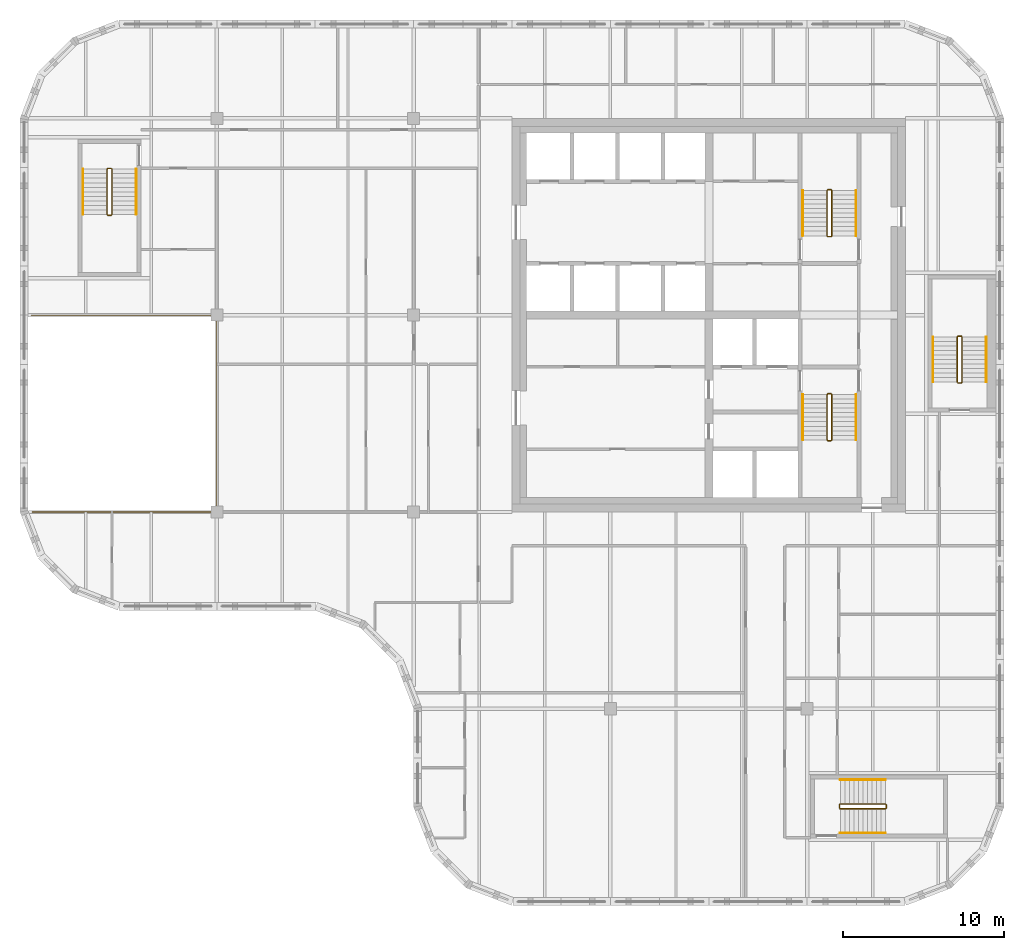
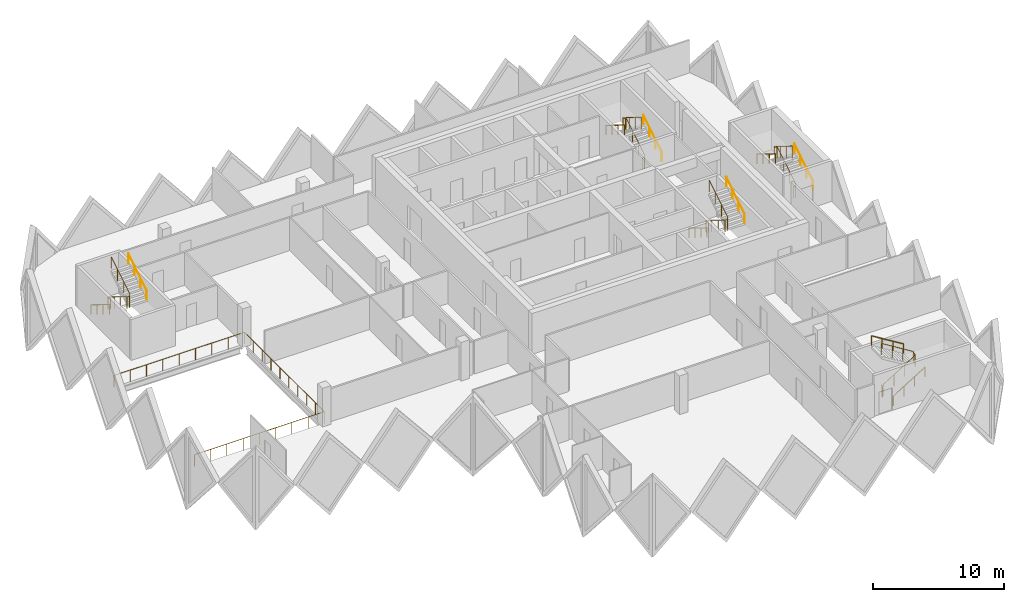
# One storey, part 11 of 11: 16 railings.
"""IFC4 building model written with IfcOpenShell, lengths in metres."""

from ifc_helpers import new_model, si_unit, direction, frame, origin, origin_2d, place, context, subcontext, project, spatial, circle, extrude, material, type_object, element, save


model = new_model("IFC4")

# Units and contexts
model_context = context("Model", 3, precision=1e-05, world=origin(), true_north=direction((0.0, 1.0)))
body_context = subcontext(model_context, "Body", "Model", "MODEL_VIEW")
ifc_project = project(units=[si_unit("LENGTHUNIT", "METRE"), si_unit("AREAUNIT", "SQUARE_METRE"), si_unit("VOLUMEUNIT", "CUBIC_METRE"), si_unit("PLANEANGLEUNIT", "RADIAN"), si_unit("MASSUNIT", "GRAM", prefix="KILO")], contexts=[model_context])

# Site, building, storey
site_placement = place(None, origin())
site = spatial("IfcSite", under=ifc_project, at=site_placement, CompositionType="ELEMENT")
building_placement = place(site_placement, origin())
building = spatial("IfcBuilding", under=site, at=building_placement, Name="Tessera Gate Towers", CompositionType="ELEMENT")
storey_placement = place(building_placement, frame((0.0, 0.0, 201.699951171875)))
storey = spatial("IfcBuildingStorey", under=building, at=storey_placement, Name="L50", CompositionType="ELEMENT", Elevation=201.699951171875)

# Railings
ifc_material_1 = material(Name="Toughened glass with stainless steel handrail", Category="steel")
railing_type_1 = type_object("IfcRailingType", Name="GUARD 1100 GLASS BALUSTRADE", PredefinedType="GUARDRAIL", material=ifc_material_1)
railing_1_placement = place(storey_placement, frame((0.750244140625, 24.39990234375, 0.0)))
element("IfcRailing", 1, at=railing_1_placement, inside=storey, type_object=railing_type_1, Name="Guard", PredefinedType="GUARDRAIL", context=body_context, shape_type="SweptSolid", body=[
    extrude(circle(Radius=0.02490234375, at=origin_2d()), frame((0.0, 0.0, 1.0751953125), z_axis=(1.0, 0.0, 0.0), x_axis=(0.0, 1.0, 0.0)), (0.0, 0.0, 1.0), 11.44970703125),
    extrude(circle(Radius=0.02490234375, at=origin_2d()), frame((11.44970703125, 0.0, 1.0751953125), z_axis=(0.0, 1.0, 0.0), x_axis=(-1.0, 0.0, 0.0)), (0.0, 0.0, 1.0), 12.2001953125),
    extrude(circle(Radius=0.02490234375, at=origin_2d()), frame((11.44970703125, 12.2001953125, 1.0751953125), z_axis=(-1.0, 0.0, 0.0), x_axis=(0.0, -1.0, 0.0)), (0.0, 0.0, 1.0), 11.5),
    extrude(circle(Radius=0.02490234375, at=origin_2d()), origin(), (0.0, 0.0, 1.0), 1.050048828125),
    extrude(circle(Radius=0.02490234375, at=origin_2d()), frame((1.43115234375, 0.0, 0.0)), (0.0, 0.0, 1.0), 1.050048828125),
    extrude(circle(Radius=0.02490234375, at=origin_2d()), frame((2.8623046875, 0.0, 0.0)), (0.0, 0.0, 1.0), 1.050048828125),
    extrude(circle(Radius=0.02490234375, at=origin_2d()), frame((4.293701171875, 0.0, 0.0)), (0.0, 0.0, 1.0), 1.050048828125),
    extrude(circle(Radius=0.02490234375, at=origin_2d()), frame((5.724853515625, 0.0, 0.0)), (0.0, 0.0, 1.0), 1.050048828125),
    extrude(circle(Radius=0.02490234375, at=origin_2d()), frame((7.156005859375, 0.0, 0.0)), (0.0, 0.0, 1.0), 1.050048828125),
    extrude(circle(Radius=0.02490234375, at=origin_2d()), frame((8.58740234375, 0.0, 0.0)), (0.0, 0.0, 1.0), 1.050048828125),
    extrude(circle(Radius=0.02490234375, at=origin_2d()), frame((10.0185546875, 0.0, 0.0)), (0.0, 0.0, 1.0), 1.050048828125),
    extrude(circle(Radius=0.02490234375, at=origin_2d()), frame((11.44970703125, 0.0, 0.0)), (0.0, 0.0, 1.0), 1.050048828125),
    extrude(circle(Radius=0.02490234375, at=origin_2d()), frame((11.44970703125, 1.35546875, 0.0)), (0.0, 0.0, 1.0), 1.050048828125),
    extrude(circle(Radius=0.02490234375, at=origin_2d()), frame((11.44970703125, 2.711181640625, 0.0)), (0.0, 0.0, 1.0), 1.050048828125),
    extrude(circle(Radius=0.02490234375, at=origin_2d()), frame((11.44970703125, 4.066650390625, 0.0)), (0.0, 0.0, 1.0), 1.050048828125),
    extrude(circle(Radius=0.02490234375, at=origin_2d()), frame((11.44970703125, 5.42236328125, 0.0)), (0.0, 0.0, 1.0), 1.050048828125),
    extrude(circle(Radius=0.02490234375, at=origin_2d()), frame((11.44970703125, 6.77783203125, 0.0)), (0.0, 0.0, 1.0), 1.050048828125),
    extrude(circle(Radius=0.02490234375, at=origin_2d()), frame((11.44970703125, 8.133544921875, 0.0)), (0.0, 0.0, 1.0), 1.050048828125),
    extrude(circle(Radius=0.02490234375, at=origin_2d()), frame((11.44970703125, 9.489013671875, 0.0)), (0.0, 0.0, 1.0), 1.050048828125),
    extrude(circle(Radius=0.02490234375, at=origin_2d()), frame((11.44970703125, 10.8447265625, 0.0)), (0.0, 0.0, 1.0), 1.050048828125),
    extrude(circle(Radius=0.02490234375, at=origin_2d()), frame((11.44970703125, 12.2001953125, 0.0)), (0.0, 0.0, 1.0), 1.050048828125),
    extrude(circle(Radius=0.02490234375, at=origin_2d()), frame((10.01220703125, 12.2001953125, 0.0)), (0.0, 0.0, 1.0), 1.050048828125),
    extrude(circle(Radius=0.02490234375, at=origin_2d()), frame((8.57470703125, 12.2001953125, 0.0)), (0.0, 0.0, 1.0), 1.050048828125),
    extrude(circle(Radius=0.02490234375, at=origin_2d()), frame((7.13720703125, 12.2001953125, 0.0)), (0.0, 0.0, 1.0), 1.050048828125),
    extrude(circle(Radius=0.02490234375, at=origin_2d()), frame((5.69970703125, 12.2001953125, 0.0)), (0.0, 0.0, 1.0), 1.050048828125),
    extrude(circle(Radius=0.02490234375, at=origin_2d()), frame((4.26220703125, 12.2001953125, 0.0)), (0.0, 0.0, 1.0), 1.050048828125),
    extrude(circle(Radius=0.02490234375, at=origin_2d()), frame((2.82470703125, 12.2001953125, 0.0)), (0.0, 0.0, 1.0), 1.050048828125),
    extrude(circle(Radius=0.02490234375, at=origin_2d()), frame((1.38720703125, 12.2001953125, 0.0)), (0.0, 0.0, 1.0), 1.050048828125),
    extrude(circle(Radius=0.02490234375, at=origin_2d()), frame((-0.05029296875, 12.2001953125, 0.0)), (0.0, 0.0, 1.0), 1.050048828125),
])
ifc_material_2 = material(Name="Steel 350W", Category="steel")
railing_type_2 = type_object("IfcRailingType", Name="STAIR GUARD 1100", PredefinedType="GUARDRAIL", material=ifc_material_2)
railing_2_placement = place(storey_placement, frame((50.27490234375, 31.72509765625, 0.0)))
element("IfcRailing", 2, at=railing_2_placement, inside=storey, type_object=railing_type_2, Name="L50 ST1 stair guard 1", PredefinedType="GUARDRAIL", context=body_context, shape_type="SweptSolid", body=[
    extrude(circle(Radius=0.02392578125, at=origin_2d()), frame((0.0, 0.0, 1.076171875), z_axis=(-1.0, 0.0, 0.0), x_axis=(0.0, -1.0, 0.0)), (0.0, 0.0, 1.0), 0.199951171875),
    extrude(circle(Radius=0.02392578125, at=origin_2d()), frame((-0.199951171875, 0.0, 1.076171875), z_axis=(-0.267953482034, -0.267953482034, 0.925419830635), x_axis=(0.707106781187, -0.707106781187, 0.0)), (0.0, 0.0, 1.0), 0.186767578125),
    extrude(circle(Radius=0.02392578125, at=origin_2d()), frame((-0.25, -0.050048828125, 1.2490234375), z_axis=(0.0, -0.851089632645, 0.525020415988), x_axis=(1.0, 0.0, 0.0)), (0.0, 0.0, 1.0), 3.2900390625),
    extrude(circle(Radius=0.02392578125, at=origin_2d()), frame((-0.25, -2.85009765625, 2.97607421875), z_axis=(0.707106781187, -0.707106781187, 0.0), x_axis=(0.707106781187, 0.707106781187, 0.0)), (0.0, 0.0, 1.0), 0.07080078125),
    extrude(circle(Radius=0.02392578125, at=origin_2d()), frame((-0.199951171875, -2.900146484375, 2.97607421875), z_axis=(1.0, 0.0, 0.0), x_axis=(0.0, 1.0, 0.0)), (0.0, 0.0, 1.0), 0.199951171875),
    extrude(circle(Radius=0.02392578125, at=origin_2d()), frame((0.0, -2.900146484375, 2.97607421875), z_axis=(0.268277960024, 0.268277960024, 0.925231793839), x_axis=(-0.707106781187, 0.707106781187, 0.0)), (0.0, 0.0, 1.0), 0.1865234375),
    extrude(circle(Radius=0.02392578125, at=origin_2d()), frame((0.050048828125, -2.85009765625, 3.14892578125), z_axis=(0.0, 0.851089632645, 0.525020415988), x_axis=(-1.0, 0.0, 0.0)), (0.0, 0.0, 1.0), 3.2900390625),
    extrude(circle(Radius=0.02099609375, at=origin_2d()), origin(), (0.0, 0.0, 1.0), 1.052001953125),
    extrude(circle(Radius=0.02099609375, at=origin_2d()), frame((-0.199951171875, 0.0, 0.0)), (0.0, 0.0, 1.0), 1.052001953125),
    extrude(circle(Radius=0.02099609375, at=origin_2d()), frame((-0.25, -0.050048828125, 0.1728515625)), (0.0, 0.0, 1.0), 1.052001953125),
    extrude(circle(Radius=0.02099609375, at=origin_2d()), frame((-0.25, -0.9833984375, 0.74853515625)), (0.0, 0.0, 1.0), 1.052001953125),
    extrude(circle(Radius=0.02099609375, at=origin_2d()), frame((-0.25, -1.916748046875, 1.324462890625)), (0.0, 0.0, 1.0), 1.052001953125),
    extrude(circle(Radius=0.02099609375, at=origin_2d()), frame((-0.25, -2.85009765625, 1.900146484375)), (0.0, 0.0, 1.0), 1.052001953125),
    extrude(circle(Radius=0.02099609375, at=origin_2d()), frame((-0.199951171875, -2.900146484375, 1.900146484375)), (0.0, 0.0, 1.0), 1.052001953125),
    extrude(circle(Radius=0.02099609375, at=origin_2d()), frame((0.0, -2.900146484375, 1.900146484375)), (0.0, 0.0, 1.0), 1.052001953125),
    extrude(circle(Radius=0.02099609375, at=origin_2d()), frame((0.050048828125, -2.85009765625, 2.07275390625)), (0.0, 0.0, 1.0), 1.052001953125),
    extrude(circle(Radius=0.02099609375, at=origin_2d()), frame((0.050048828125, -1.916748046875, 2.6484375)), (0.0, 0.0, 1.0), 1.052001953125),
    extrude(circle(Radius=0.02099609375, at=origin_2d()), frame((0.050048828125, -0.9833984375, 3.224365234375)), (0.0, 0.0, 1.0), 1.052001953125),
    extrude(circle(Radius=0.02099609375, at=origin_2d()), frame((0.050048828125, -0.050048828125, 3.800048828125)), (0.0, 0.0, 1.0), 1.052001953125),
])
railing_3_placement = place(storey_placement, frame((50.074951171875, 41.47509765625, 0.0)))
element("IfcRailing", 3, at=railing_3_placement, inside=storey, type_object=railing_type_2, Name="L50 ST2 stair guard 1", PredefinedType="GUARDRAIL", context=body_context, shape_type="SweptSolid", body=[
    extrude(circle(Radius=0.02392578125, at=origin_2d()), frame((0.0, 0.0, 1.076171875), z_axis=(1.0, 0.0, 0.0), x_axis=(0.0, 1.0, 0.0)), (0.0, 0.0, 1.0), 0.199951171875),
    extrude(circle(Radius=0.02392578125, at=origin_2d()), frame((0.199951171875, 0.0, 1.076171875), z_axis=(0.268047150085, 0.266739603011, 0.925743328097), x_axis=(-0.705375805398, 0.708833529934, 0.0)), (0.0, 0.0, 1.0), 0.186767578125),
    extrude(circle(Radius=0.02392578125, at=origin_2d()), frame((0.25, 0.0498046875, 1.2490234375), z_axis=(0.0, 0.851089632645, 0.525020415988), x_axis=(-1.0, 0.0, 0.0)), (0.0, 0.0, 1.0), 3.2900390625),
    extrude(circle(Radius=0.02392578125, at=origin_2d()), frame((0.25, 2.849853515625, 2.97607421875), z_axis=(-0.707106781187, 0.707106781187, 0.0), x_axis=(-0.707106781187, -0.707106781187, 0.0)), (0.0, 0.0, 1.0), 0.07080078125),
    extrude(circle(Radius=0.02392578125, at=origin_2d()), frame((0.199951171875, 2.89990234375, 2.97607421875), z_axis=(-1.0, 0.0, 0.0), x_axis=(0.0, -1.0, 0.0)), (0.0, 0.0, 1.0), 0.199951171875),
    extrude(circle(Radius=0.02392578125, at=origin_2d()), frame((0.0, 2.89990234375, 2.97607421875), z_axis=(-0.268277960024, -0.268277960024, 0.925231793839), x_axis=(0.707106781187, -0.707106781187, 0.0)), (0.0, 0.0, 1.0), 0.1865234375),
    extrude(circle(Radius=0.02392578125, at=origin_2d()), frame((-0.050048828125, 2.849853515625, 3.14892578125), z_axis=(0.0, -0.851089632645, 0.525020415988), x_axis=(1.0, 0.0, 0.0)), (0.0, 0.0, 1.0), 3.2900390625),
    extrude(circle(Radius=0.02099609375, at=origin_2d()), origin(), (0.0, 0.0, 1.0), 1.052001953125),
    extrude(circle(Radius=0.02099609375, at=origin_2d()), frame((0.199951171875, 0.0, 0.0)), (0.0, 0.0, 1.0), 1.052001953125),
    extrude(circle(Radius=0.02099609375, at=origin_2d()), frame((0.25, 0.0498046875, 0.1728515625)), (0.0, 0.0, 1.0), 1.052001953125),
    extrude(circle(Radius=0.02099609375, at=origin_2d()), frame((0.25, 0.983154296875, 0.74853515625)), (0.0, 0.0, 1.0), 1.052001953125),
    extrude(circle(Radius=0.02099609375, at=origin_2d()), frame((0.25, 1.91650390625, 1.324462890625)), (0.0, 0.0, 1.0), 1.052001953125),
    extrude(circle(Radius=0.02099609375, at=origin_2d()), frame((0.25, 2.849853515625, 1.900146484375)), (0.0, 0.0, 1.0), 1.052001953125),
    extrude(circle(Radius=0.02099609375, at=origin_2d()), frame((0.199951171875, 2.89990234375, 1.900146484375)), (0.0, 0.0, 1.0), 1.052001953125),
    extrude(circle(Radius=0.02099609375, at=origin_2d()), frame((0.0, 2.89990234375, 1.900146484375)), (0.0, 0.0, 1.0), 1.052001953125),
    extrude(circle(Radius=0.02099609375, at=origin_2d()), frame((-0.050048828125, 2.849853515625, 2.07275390625)), (0.0, 0.0, 1.0), 1.052001953125),
    extrude(circle(Radius=0.02099609375, at=origin_2d()), frame((-0.050048828125, 1.91650390625, 2.6484375)), (0.0, 0.0, 1.0), 1.052001953125),
    extrude(circle(Radius=0.02099609375, at=origin_2d()), frame((-0.050048828125, 0.983154296875, 3.224365234375)), (0.0, 0.0, 1.0), 1.052001953125),
    extrude(circle(Radius=0.02099609375, at=origin_2d()), frame((-0.050048828125, 0.0498046875, 3.800048828125)), (0.0, 0.0, 1.0), 1.052001953125),
])
railing_4_placement = place(storey_placement, frame((5.64990234375, 45.699951171875, 0.0)))
element("IfcRailing", 4, at=railing_4_placement, inside=storey, type_object=railing_type_2, Name="L50 ST3 stair guard 1", PredefinedType="GUARDRAIL", context=body_context, shape_type="SweptSolid", body=[
    extrude(circle(Radius=0.02392578125, at=origin_2d()), frame((0.0, 0.0, 1.076171875), z_axis=(-1.0, 0.0, 0.0), x_axis=(0.0, -1.0, 0.0)), (0.0, 0.0, 1.0), 0.199951171875),
    extrude(circle(Radius=0.02392578125, at=origin_2d()), frame((-0.199951171875, 0.0, 1.076171875), z_axis=(-0.267953482034, -0.267953482034, 0.925419830635), x_axis=(0.707106781187, -0.707106781187, 0.0)), (0.0, 0.0, 1.0), 0.186767578125),
    extrude(circle(Radius=0.02392578125, at=origin_2d()), frame((-0.25, -0.050048828125, 1.2490234375), z_axis=(0.0, -0.851069175582, 0.525053576669), x_axis=(1.0, 0.0, 0.0)), (0.0, 0.0, 1.0), 3.289794921875),
    extrude(circle(Radius=0.02392578125, at=origin_2d()), frame((-0.25, -2.849853515625, 2.97607421875), z_axis=(0.707106781187, -0.707106781187, 0.0), x_axis=(0.707106781187, 0.707106781187, 0.0)), (0.0, 0.0, 1.0), 0.07080078125),
    extrude(circle(Radius=0.02392578125, at=origin_2d()), frame((-0.199951171875, -2.89990234375, 2.97607421875), z_axis=(1.0, 0.0, 0.0), x_axis=(0.0, 1.0, 0.0)), (0.0, 0.0, 1.0), 0.199951171875),
    extrude(circle(Radius=0.02392578125, at=origin_2d()), frame((0.0, -2.89990234375, 2.97607421875), z_axis=(0.268277960024, 0.268277960024, 0.925231793839), x_axis=(-0.707106781187, 0.707106781187, 0.0)), (0.0, 0.0, 1.0), 0.1865234375),
    extrude(circle(Radius=0.02392578125, at=origin_2d()), frame((0.050048828125, -2.849853515625, 3.14892578125), z_axis=(0.0, 0.851069175582, 0.525053576669), x_axis=(-1.0, 0.0, 0.0)), (0.0, 0.0, 1.0), 3.289794921875),
    extrude(circle(Radius=0.02099609375, at=origin_2d()), origin(), (0.0, 0.0, 1.0), 1.052001953125),
    extrude(circle(Radius=0.02099609375, at=origin_2d()), frame((-0.199951171875, 0.0, 0.0)), (0.0, 0.0, 1.0), 1.052001953125),
    extrude(circle(Radius=0.02099609375, at=origin_2d()), frame((-0.25, -0.050048828125, 0.1728515625)), (0.0, 0.0, 1.0), 1.052001953125),
    extrude(circle(Radius=0.02099609375, at=origin_2d()), frame((-0.25, -0.9833984375, 0.74853515625)), (0.0, 0.0, 1.0), 1.052001953125),
    extrude(circle(Radius=0.02099609375, at=origin_2d()), frame((-0.25, -1.91650390625, 1.324462890625)), (0.0, 0.0, 1.0), 1.052001953125),
    extrude(circle(Radius=0.02099609375, at=origin_2d()), frame((-0.25, -2.849853515625, 1.900146484375)), (0.0, 0.0, 1.0), 1.052001953125),
    extrude(circle(Radius=0.02099609375, at=origin_2d()), frame((-0.199951171875, -2.89990234375, 1.900146484375)), (0.0, 0.0, 1.0), 1.052001953125),
    extrude(circle(Radius=0.02099609375, at=origin_2d()), frame((0.0, -2.89990234375, 1.900146484375)), (0.0, 0.0, 1.0), 1.052001953125),
    extrude(circle(Radius=0.02099609375, at=origin_2d()), frame((0.050048828125, -2.849853515625, 2.07275390625)), (0.0, 0.0, 1.0), 1.052001953125),
    extrude(circle(Radius=0.02099609375, at=origin_2d()), frame((0.050048828125, -1.91650390625, 2.6484375)), (0.0, 0.0, 1.0), 1.052001953125),
    extrude(circle(Radius=0.02099609375, at=origin_2d()), frame((0.050048828125, -0.9833984375, 3.224365234375)), (0.0, 0.0, 1.0), 1.052001953125),
    extrude(circle(Radius=0.02099609375, at=origin_2d()), frame((0.050048828125, -0.050048828125, 3.800048828125)), (0.0, 0.0, 1.0), 1.052001953125),
])
railing_5_placement = place(storey_placement, frame((50.800048828125, 6.25, 0.0)))
element("IfcRailing", 5, at=railing_5_placement, inside=storey, type_object=railing_type_2, Name="L50 ST4 stair guard 1", PredefinedType="GUARDRAIL", context=body_context, shape_type="SweptSolid", body=[
    extrude(circle(Radius=0.02392578125, at=origin_2d()), frame((0.0, 0.0, 1.076171875), z_axis=(0.0, -1.0, 0.0), x_axis=(1.0, 0.0, 0.0)), (0.0, 0.0, 1.0), 0.199951171875),
    extrude(circle(Radius=0.02392578125, at=origin_2d()), frame((0.0, -0.199951171875, 1.076171875), z_axis=(0.267953482034, -0.267953482034, 0.925419830635), x_axis=(0.707106781187, 0.707106781187, 0.0)), (0.0, 0.0, 1.0), 0.186767578125),
    extrude(circle(Radius=0.02392578125, at=origin_2d()), frame((0.050048828125, -0.25, 1.2490234375), z_axis=(0.851069175582, 0.0, 0.525053576669), x_axis=(0.0, 1.0, 0.0)), (0.0, 0.0, 1.0), 3.289794921875),
    extrude(circle(Radius=0.02392578125, at=origin_2d()), frame((2.849853515625, -0.25, 2.97607421875), z_axis=(0.707106781187, 0.707106781187, 0.0), x_axis=(-0.707106781187, 0.707106781187, 0.0)), (0.0, 0.0, 1.0), 0.07080078125),
    extrude(circle(Radius=0.02392578125, at=origin_2d()), frame((2.89990234375, -0.199951171875, 2.97607421875), z_axis=(0.0, 1.0, 0.0), x_axis=(-1.0, 0.0, 0.0)), (0.0, 0.0, 1.0), 0.199951171875),
    extrude(circle(Radius=0.02392578125, at=origin_2d()), frame((2.89990234375, 0.0, 2.97607421875), z_axis=(-0.268277960024, 0.268277960024, 0.925231793839), x_axis=(-0.707106781187, -0.707106781187, 0.0)), (0.0, 0.0, 1.0), 0.1865234375),
    extrude(circle(Radius=0.02392578125, at=origin_2d()), frame((2.849853515625, 0.050048828125, 3.14892578125), z_axis=(-0.851069175582, 0.0, 0.525053576669), x_axis=(0.0, -1.0, 0.0)), (0.0, 0.0, 1.0), 3.289794921875),
    extrude(circle(Radius=0.02099609375, at=origin_2d()), origin(), (0.0, 0.0, 1.0), 1.052001953125),
    extrude(circle(Radius=0.02099609375, at=origin_2d()), frame((0.0, -0.199951171875, 0.0)), (0.0, 0.0, 1.0), 1.052001953125),
    extrude(circle(Radius=0.02099609375, at=origin_2d()), frame((0.050048828125, -0.25, 0.1728515625)), (0.0, 0.0, 1.0), 1.052001953125),
    extrude(circle(Radius=0.02099609375, at=origin_2d()), frame((0.9833984375, -0.25, 0.74853515625)), (0.0, 0.0, 1.0), 1.052001953125),
    extrude(circle(Radius=0.02099609375, at=origin_2d()), frame((1.91650390625, -0.25, 1.324462890625)), (0.0, 0.0, 1.0), 1.052001953125),
    extrude(circle(Radius=0.02099609375, at=origin_2d()), frame((2.849853515625, -0.25, 1.900146484375)), (0.0, 0.0, 1.0), 1.052001953125),
    extrude(circle(Radius=0.02099609375, at=origin_2d()), frame((2.89990234375, -0.199951171875, 1.900146484375)), (0.0, 0.0, 1.0), 1.052001953125),
    extrude(circle(Radius=0.02099609375, at=origin_2d()), frame((2.89990234375, 0.0, 1.900146484375)), (0.0, 0.0, 1.0), 1.052001953125),
    extrude(circle(Radius=0.02099609375, at=origin_2d()), frame((2.849853515625, 0.050048828125, 2.07275390625)), (0.0, 0.0, 1.0), 1.052001953125),
    extrude(circle(Radius=0.02099609375, at=origin_2d()), frame((1.91650390625, 0.050048828125, 2.6484375)), (0.0, 0.0, 1.0), 1.052001953125),
    extrude(circle(Radius=0.02099609375, at=origin_2d()), frame((0.9833984375, 0.050048828125, 3.224365234375)), (0.0, 0.0, 1.0), 1.052001953125),
    extrude(circle(Radius=0.02099609375, at=origin_2d()), frame((0.050048828125, 0.050048828125, 3.800048828125)), (0.0, 0.0, 1.0), 1.052001953125),
])
railing_6_placement = place(storey_placement, frame((58.14990234375, 32.39990234375, 0.0)))
element("IfcRailing", 6, at=railing_6_placement, inside=storey, type_object=railing_type_2, Name="L50 ST5 stair guard 1", PredefinedType="GUARDRAIL", context=body_context, shape_type="SweptSolid", body=[
    extrude(circle(Radius=0.02392578125, at=origin_2d()), frame((0.0, 0.0, 1.076171875), z_axis=(1.0, 0.0, 0.0), x_axis=(0.0, 1.0, 0.0)), (0.0, 0.0, 1.0), 0.2001953125),
    extrude(circle(Radius=0.02392578125, at=origin_2d()), frame((0.2001953125, 0.0, 1.076171875), z_axis=(0.266739603011, 0.268047150085, 0.925743328097), x_axis=(-0.708833529934, 0.705375805398, 0.0)), (0.0, 0.0, 1.0), 0.186767578125),
    extrude(circle(Radius=0.02392578125, at=origin_2d()), frame((0.25, 0.050048828125, 1.2490234375), z_axis=(0.0, 0.851089632645, 0.525020415988), x_axis=(-1.0, 0.0, 0.0)), (0.0, 0.0, 1.0), 3.2900390625),
    extrude(circle(Radius=0.02392578125, at=origin_2d()), frame((0.25, 2.85009765625, 2.97607421875), z_axis=(-0.705375805398, 0.708833529934, 0.0), x_axis=(-0.708833529934, -0.705375805398, 0.0)), (0.0, 0.0, 1.0), 0.070556640625),
    extrude(circle(Radius=0.02392578125, at=origin_2d()), frame((0.2001953125, 2.900146484375, 2.97607421875), z_axis=(-1.0, 0.0, 0.0), x_axis=(0.0, -1.0, 0.0)), (0.0, 0.0, 1.0), 0.2001953125),
    extrude(circle(Radius=0.02392578125, at=origin_2d()), frame((0.0, 2.900146484375, 2.97607421875), z_axis=(-0.267062837333, -0.268371968888, 0.925556009775), x_axis=(0.708833529934, -0.705375805398, 0.0)), (0.0, 0.0, 1.0), 0.1865234375),
    extrude(circle(Radius=0.02392578125, at=origin_2d()), frame((-0.0498046875, 2.85009765625, 3.14892578125), z_axis=(0.0, -0.851089632645, 0.525020415988), x_axis=(1.0, 0.0, 0.0)), (0.0, 0.0, 1.0), 3.2900390625),
    extrude(circle(Radius=0.02099609375, at=origin_2d()), origin(), (0.0, 0.0, 1.0), 1.052001953125),
    extrude(circle(Radius=0.02099609375, at=origin_2d()), frame((0.2001953125, 0.0, 0.0)), (0.0, 0.0, 1.0), 1.052001953125),
    extrude(circle(Radius=0.02099609375, at=origin_2d()), frame((0.25, 0.050048828125, 0.1728515625)), (0.0, 0.0, 1.0), 1.052001953125),
    extrude(circle(Radius=0.02099609375, at=origin_2d()), frame((0.25, 0.9833984375, 0.74853515625)), (0.0, 0.0, 1.0), 1.052001953125),
    extrude(circle(Radius=0.02099609375, at=origin_2d()), frame((0.25, 1.916748046875, 1.324462890625)), (0.0, 0.0, 1.0), 1.052001953125),
    extrude(circle(Radius=0.02099609375, at=origin_2d()), frame((0.25, 2.85009765625, 1.900146484375)), (0.0, 0.0, 1.0), 1.052001953125),
    extrude(circle(Radius=0.02099609375, at=origin_2d()), frame((0.2001953125, 2.900146484375, 1.900146484375)), (0.0, 0.0, 1.0), 1.052001953125),
    extrude(circle(Radius=0.02099609375, at=origin_2d()), frame((0.0, 2.900146484375, 1.900146484375)), (0.0, 0.0, 1.0), 1.052001953125),
    extrude(circle(Radius=0.02099609375, at=origin_2d()), frame((-0.0498046875, 2.85009765625, 2.07275390625)), (0.0, 0.0, 1.0), 1.052001953125),
    extrude(circle(Radius=0.02099609375, at=origin_2d()), frame((-0.0498046875, 1.916748046875, 2.6484375)), (0.0, 0.0, 1.0), 1.052001953125),
    extrude(circle(Radius=0.02099609375, at=origin_2d()), frame((-0.0498046875, 0.9833984375, 3.224365234375)), (0.0, 0.0, 1.0), 1.052001953125),
    extrude(circle(Radius=0.02099609375, at=origin_2d()), frame((-0.0498046875, 0.050048828125, 3.800048828125)), (0.0, 0.0, 1.0), 1.052001953125),
])
ifc_material_3 = material(Name="Steel 350W", Category="steel")
railing_type_3 = type_object("IfcRailingType", Name="STAIR HANDRAIL 900", PredefinedType="HANDRAIL", material=ifc_material_3)
railing_7_placement = place(storey_placement, frame((48.52490234375, 31.675048828125, 0.1728515625)))
element("IfcRailing", 7, at=railing_7_placement, inside=storey, type_object=railing_type_3, Name="L50 ST1 stair handrail 1", PredefinedType="HANDRAIL", context=body_context, shape_type="SweptSolid", body=[
    extrude(circle(Radius=0.02392578125, at=origin_2d()), frame((0.0, 0.0, 0.8759765625), z_axis=(0.0, -0.851089632645, 0.525020415988), x_axis=(1.0, 0.0, 0.0)), (0.0, 0.0, 1.0), 3.2900390625),
    extrude(circle(Radius=0.02099609375, at=origin_2d()), origin(), (0.0, 0.0, 1.0), 0.851806640625),
    extrude(circle(Radius=0.02099609375, at=origin_2d()), frame((0.0, -0.933349609375, 0.57568359375)), (0.0, 0.0, 1.0), 0.851806640625),
    extrude(circle(Radius=0.02099609375, at=origin_2d()), frame((0.0, -1.86669921875, 1.151611328125)), (0.0, 0.0, 1.0), 0.851806640625),
    extrude(circle(Radius=0.02099609375, at=origin_2d()), frame((0.0, -2.800048828125, 1.727294921875)), (0.0, 0.0, 1.0), 0.851806640625),
])
for number, where, name in (
    (8, (51.824951171875, 28.875, 2.07275390625), "L50 ST1 stair handrail 2"),
    (9, (51.824951171875, 41.52490234375, 0.1728515625), "L50 ST2 stair handrail 1"),
):
    element("IfcRailing", number, at=place(storey_placement, frame(where)), inside=storey, type_object=railing_type_3, Name=name, PredefinedType="HANDRAIL", context=body_context, shape_type="SweptSolid", body=[
        extrude(circle(Radius=0.02392578125, at=origin_2d()), frame((0.0, 0.0, 0.8759765625), z_axis=(0.0, 0.851089632645, 0.525020415988), x_axis=(-1.0, 0.0, 0.0)), (0.0, 0.0, 1.0), 3.2900390625),
        extrude(circle(Radius=0.02099609375, at=origin_2d()), origin(), (0.0, 0.0, 1.0), 0.851806640625),
        extrude(circle(Radius=0.02099609375, at=origin_2d()), frame((0.0, 0.933349609375, 0.57568359375)), (0.0, 0.0, 1.0), 0.851806640625),
        extrude(circle(Radius=0.02099609375, at=origin_2d()), frame((0.0, 1.86669921875, 1.151611328125)), (0.0, 0.0, 1.0), 0.851806640625),
        extrude(circle(Radius=0.02099609375, at=origin_2d()), frame((0.0, 2.800048828125, 1.727294921875)), (0.0, 0.0, 1.0), 0.851806640625),
    ])
railing_8_placement = place(storey_placement, frame((48.52490234375, 44.324951171875, 2.07275390625)))
element("IfcRailing", 10, at=railing_8_placement, inside=storey, type_object=railing_type_3, Name="L50 ST2 stair handrail 2", PredefinedType="HANDRAIL", context=body_context, shape_type="SweptSolid", body=[
    extrude(circle(Radius=0.02392578125, at=origin_2d()), frame((0.0, 0.0, 0.8759765625), z_axis=(0.0, -0.851089632645, 0.525020415988), x_axis=(1.0, 0.0, 0.0)), (0.0, 0.0, 1.0), 3.2900390625),
    extrude(circle(Radius=0.02099609375, at=origin_2d()), origin(), (0.0, 0.0, 1.0), 0.851806640625),
    extrude(circle(Radius=0.02099609375, at=origin_2d()), frame((0.0, -0.933349609375, 0.57568359375)), (0.0, 0.0, 1.0), 0.851806640625),
    extrude(circle(Radius=0.02099609375, at=origin_2d()), frame((0.0, -1.86669921875, 1.151611328125)), (0.0, 0.0, 1.0), 0.851806640625),
    extrude(circle(Radius=0.02099609375, at=origin_2d()), frame((0.0, -2.800048828125, 1.727294921875)), (0.0, 0.0, 1.0), 0.851806640625),
])
railing_9_placement = place(storey_placement, frame((3.89990234375, 45.64990234375, 0.1728515625)))
element("IfcRailing", 11, at=railing_9_placement, inside=storey, type_object=railing_type_3, Name="L50 ST3 stair handrail 1", PredefinedType="HANDRAIL", context=body_context, shape_type="SweptSolid", body=[
    extrude(circle(Radius=0.02392578125, at=origin_2d()), frame((0.0, 0.0, 0.8759765625), z_axis=(0.0, -0.851069175582, 0.525053576669), x_axis=(1.0, 0.0, 0.0)), (0.0, 0.0, 1.0), 3.289794921875),
    extrude(circle(Radius=0.02099609375, at=origin_2d()), origin(), (0.0, 0.0, 1.0), 0.851806640625),
    extrude(circle(Radius=0.02099609375, at=origin_2d()), frame((0.0, -0.933349609375, 0.57568359375)), (0.0, 0.0, 1.0), 0.851806640625),
    extrude(circle(Radius=0.02099609375, at=origin_2d()), frame((0.0, -1.866455078125, 1.151611328125)), (0.0, 0.0, 1.0), 0.851806640625),
    extrude(circle(Radius=0.02099609375, at=origin_2d()), frame((0.0, -2.7998046875, 1.727294921875)), (0.0, 0.0, 1.0), 0.851806640625),
])
railing_10_placement = place(storey_placement, frame((7.199951171875, 42.85009765625, 2.07275390625)))
element("IfcRailing", 12, at=railing_10_placement, inside=storey, type_object=railing_type_3, Name="L50 ST3 stair handrail 2", PredefinedType="HANDRAIL", context=body_context, shape_type="SweptSolid", body=[
    extrude(circle(Radius=0.02392578125, at=origin_2d()), frame((0.0, 0.0, 0.8759765625), z_axis=(0.0, 0.851069175582, 0.525053576669), x_axis=(-1.0, 0.0, 0.0)), (0.0, 0.0, 1.0), 3.289794921875),
    extrude(circle(Radius=0.02099609375, at=origin_2d()), origin(), (0.0, 0.0, 1.0), 0.851806640625),
    extrude(circle(Radius=0.02099609375, at=origin_2d()), frame((0.0, 0.933349609375, 0.57568359375)), (0.0, 0.0, 1.0), 0.851806640625),
    extrude(circle(Radius=0.02099609375, at=origin_2d()), frame((0.0, 1.866455078125, 1.151611328125)), (0.0, 0.0, 1.0), 0.851806640625),
    extrude(circle(Radius=0.02099609375, at=origin_2d()), frame((0.0, 2.7998046875, 1.727294921875)), (0.0, 0.0, 1.0), 0.851806640625),
])
railing_11_placement = place(storey_placement, frame((50.85009765625, 4.5, 0.1728515625)))
element("IfcRailing", 13, at=railing_11_placement, inside=storey, type_object=railing_type_3, Name="L50 ST4 stair handrail 1", PredefinedType="HANDRAIL", context=body_context, shape_type="SweptSolid", body=[
    extrude(circle(Radius=0.02392578125, at=origin_2d()), frame((0.0, 0.0, 0.8759765625), z_axis=(0.851069175582, 0.0, 0.525053576669), x_axis=(0.0, 1.0, 0.0)), (0.0, 0.0, 1.0), 3.289794921875),
    extrude(circle(Radius=0.02099609375, at=origin_2d()), origin(), (0.0, 0.0, 1.0), 0.851806640625),
    extrude(circle(Radius=0.02099609375, at=origin_2d()), frame((0.933349609375, 0.0, 0.57568359375)), (0.0, 0.0, 1.0), 0.851806640625),
    extrude(circle(Radius=0.02099609375, at=origin_2d()), frame((1.866455078125, 0.0, 1.151611328125)), (0.0, 0.0, 1.0), 0.851806640625),
    extrude(circle(Radius=0.02099609375, at=origin_2d()), frame((2.7998046875, 0.0, 1.727294921875)), (0.0, 0.0, 1.0), 0.851806640625),
])
railing_12_placement = place(storey_placement, frame((53.64990234375, 7.800048828125, 2.07275390625)))
element("IfcRailing", 14, at=railing_12_placement, inside=storey, type_object=railing_type_3, Name="L50 ST4 stair handrail 2", PredefinedType="HANDRAIL", context=body_context, shape_type="SweptSolid", body=[
    extrude(circle(Radius=0.02392578125, at=origin_2d()), frame((0.0, 0.0, 0.8759765625), z_axis=(-0.851069175582, 0.0, 0.525053576669), x_axis=(0.0, -1.0, 0.0)), (0.0, 0.0, 1.0), 3.289794921875),
    extrude(circle(Radius=0.02099609375, at=origin_2d()), origin(), (0.0, 0.0, 1.0), 0.851806640625),
    extrude(circle(Radius=0.02099609375, at=origin_2d()), frame((-0.933349609375, 0.0, 0.57568359375)), (0.0, 0.0, 1.0), 0.851806640625),
    extrude(circle(Radius=0.02099609375, at=origin_2d()), frame((-1.866455078125, 0.0, 1.151611328125)), (0.0, 0.0, 1.0), 0.851806640625),
    extrude(circle(Radius=0.02099609375, at=origin_2d()), frame((-2.7998046875, 0.0, 1.727294921875)), (0.0, 0.0, 1.0), 0.851806640625),
])
railing_13_placement = place(storey_placement, frame((59.89990234375, 32.449951171875, 0.1728515625)))
element("IfcRailing", 15, at=railing_13_placement, inside=storey, type_object=railing_type_3, Name="L50 ST5 stair handrail 1", PredefinedType="HANDRAIL", context=body_context, shape_type="SweptSolid", body=[
    extrude(circle(Radius=0.02392578125, at=origin_2d()), frame((0.0, 0.0, 0.8759765625), z_axis=(0.0, 0.851089632645, 0.525020415988), x_axis=(-1.0, 0.0, 0.0)), (0.0, 0.0, 1.0), 3.2900390625),
    extrude(circle(Radius=0.02099609375, at=origin_2d()), origin(), (0.0, 0.0, 1.0), 0.851806640625),
    extrude(circle(Radius=0.02099609375, at=origin_2d()), frame((0.0, 0.933349609375, 0.57568359375)), (0.0, 0.0, 1.0), 0.851806640625),
    extrude(circle(Radius=0.02099609375, at=origin_2d()), frame((0.0, 1.86669921875, 1.151611328125)), (0.0, 0.0, 1.0), 0.851806640625),
    extrude(circle(Radius=0.02099609375, at=origin_2d()), frame((0.0, 2.800048828125, 1.727294921875)), (0.0, 0.0, 1.0), 0.851806640625),
])
railing_14_placement = place(storey_placement, frame((56.60009765625, 35.25, 2.07275390625)))
element("IfcRailing", 16, at=railing_14_placement, inside=storey, type_object=railing_type_3, Name="L50 ST5 stair handrail 2", PredefinedType="HANDRAIL", context=body_context, shape_type="SweptSolid", body=[
    extrude(circle(Radius=0.02392578125, at=origin_2d()), frame((0.0, 0.0, 0.8759765625), z_axis=(0.0, -0.851089632645, 0.525020415988), x_axis=(1.0, 0.0, 0.0)), (0.0, 0.0, 1.0), 3.2900390625),
    extrude(circle(Radius=0.02099609375, at=origin_2d()), origin(), (0.0, 0.0, 1.0), 0.851806640625),
    extrude(circle(Radius=0.02099609375, at=origin_2d()), frame((0.0, -0.933349609375, 0.57568359375)), (0.0, 0.0, 1.0), 0.851806640625),
    extrude(circle(Radius=0.02099609375, at=origin_2d()), frame((0.0, -1.86669921875, 1.151611328125)), (0.0, 0.0, 1.0), 0.851806640625),
    extrude(circle(Radius=0.02099609375, at=origin_2d()), frame((0.0, -2.800048828125, 1.727294921875)), (0.0, 0.0, 1.0), 0.851806640625),
])

save(model, "model.ifc")
